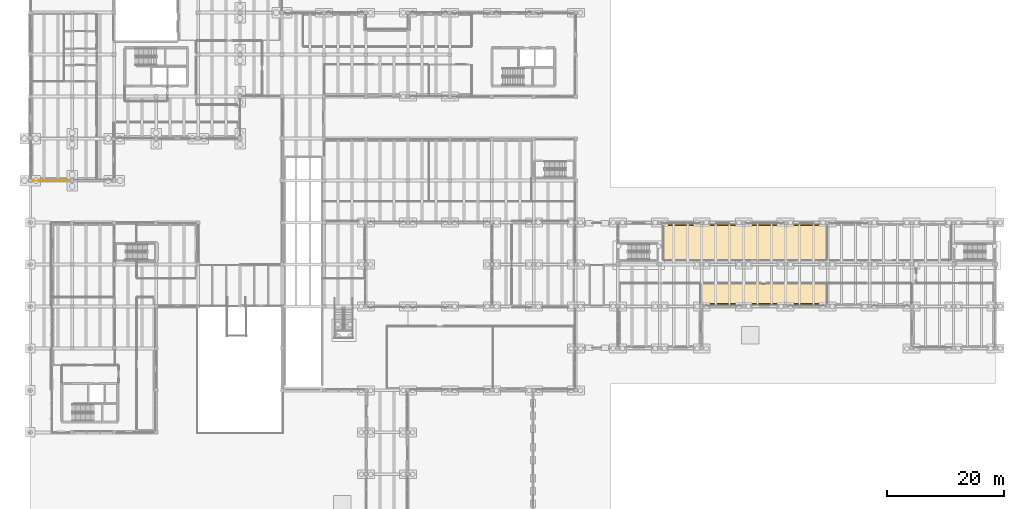
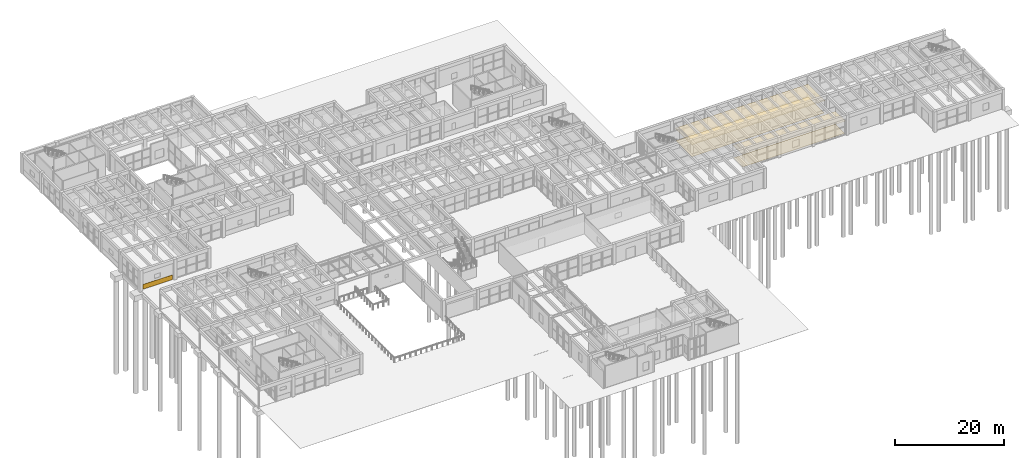
# One storey, part 142 of 155: 5 coverings.
"""IFC4 building model written with IfcOpenShell, lengths in metres."""

from ifc_helpers import new_model, si_unit, direction, frame, origin, origin_2d, place, context, subcontext, project, spatial, polyline, rectangle, outline, extrude, material, layer, layer_set, type_object, element, save


model = new_model("IFC4")

# Units and contexts
model_context = context("Model", 3, precision=1e-05, world=origin(), true_north=direction((0.0, 1.0)))
body_context = subcontext(model_context, "Body", "Model", "MODEL_VIEW")
ifc_project = project(units=[si_unit("LENGTHUNIT", "METRE"), si_unit("AREAUNIT", "SQUARE_METRE"), si_unit("VOLUMEUNIT", "CUBIC_METRE"), si_unit("PLANEANGLEUNIT", "RADIAN"), si_unit("MASSUNIT", "GRAM", prefix="KILO")], contexts=[model_context])

# Site, building, storey
site_placement = place(None, origin())
site = spatial("IfcSite", under=ifc_project, at=site_placement, CompositionType="ELEMENT")
building_placement = place(site_placement, origin())
building = spatial("IfcBuilding", under=site, at=building_placement, Name="Bramvelor Terrace Health Centre", CompositionType="ELEMENT")
storey_placement = place(building_placement, origin())
storey = spatial("IfcBuildingStorey", under=building, at=storey_placement, Name="L01", CompositionType="ELEMENT", Elevation=0.0)

# Coverings
ifc_material_1 = material(Name="Honed volcanic tuff rainscreen stone", Category="masonry")
ifc_layer_1 = layer(ifc_material_1, 0.0400390625)
ifc_layer_set_1 = layer_set([ifc_layer_1], Name="Honed volcanic tuff rainscreen stone")
covering_type_1 = type_object("IfcCoveringType", Name="COV-CLAD-TUF", PredefinedType="CLADDING", material=ifc_layer_set_1)
covering_1_placement = place(storey_placement, frame((3.60009765625, 71.985107421875, 0.02490234375), z_axis=(0.0, 0.0, 1.0), x_axis=(1.0, 0.0, 0.0)))
element("IfcCovering", 1, at=covering_1_placement, inside=storey, type_object=covering_type_1, Name="L01 Volcanic Tuff Rainscreen Spandrel 20", PredefinedType="CLADDING", context=body_context, shape_type="SweptSolid", body=[
    extrude(rectangle(XDim=6.260009765625, YDim=0.0400390625, at=origin_2d()), origin(), (0.0, 0.0, 1.0), 1.050048828125),
])
ifc_material_2 = material(Name="Hygienic mineral-fibre acoustic ceiling", Category="gypsum")
ifc_layer_2 = layer(ifc_material_2, 0.02001953125)
ifc_layer_set_2 = layer_set([ifc_layer_2], Name="Hygienic mineral-fibre acoustic ceiling")
covering_type_2 = type_object("IfcCoveringType", Name="COV-CLG-ACT", PredefinedType="CEILING", material=ifc_layer_set_2)
covering_2_placement = place(storey_placement, frame((0.0, 0.0, 2.75)))
element("IfcCovering", 2, at=covering_2_placement, inside=storey, type_object=covering_type_2, Name="L01 Ambulatory Endoscopy Procedure Room 1 Acoustic Ceiling", PredefinedType="CEILING", context=body_context, shape_type="SweptSolid", body=[
    extrude(outline(polyline([(114.989990234375, 54.389892578125), (114.989990234375, 54.39208984375), (114.990478515625, 54.393798828125), (114.990966796875, 54.395751953125), (114.991455078125, 54.397705078125), (114.992431640625, 54.3994140625), (114.993408203125, 54.401123046875), (114.994384765625, 54.402587890625), (114.995849609375, 54.404052734375), (114.997314453125, 54.405517578125), (114.998779296875, 54.406494140625), (115.00048828125, 54.40771484375), (115.002197265625, 54.408447265625), (115.004150390625, 54.4091796875), (115.006103515625, 54.40966796875), (115.008056640625, 54.409912109375), (115.010009765625, 54.409912109375), (136.699951171875, 54.409912109375), (136.701904296875, 54.409912109375), (136.703857421875, 54.40966796875), (136.705810546875, 54.4091796875), (136.707763671875, 54.408447265625), (136.70947265625, 54.40771484375), (136.711181640625, 54.406494140625), (136.712646484375, 54.405517578125), (136.714111328125, 54.404052734375), (136.715576171875, 54.402587890625), (136.716552734375, 54.401123046875), (136.717529296875, 54.3994140625), (136.718505859375, 54.397705078125), (136.718994140625, 54.395751953125), (136.719482421875, 54.393798828125), (136.719970703125, 54.39208984375), (136.719970703125, 54.389892578125), (136.719970703125, 50.800048828125), (136.719970703125, 50.798095703125), (136.719482421875, 50.796142578125), (136.718994140625, 50.794189453125), (136.718505859375, 50.792236328125), (136.717529296875, 50.79052734375), (136.716552734375, 50.788818359375), (136.715576171875, 50.787353515625), (136.714111328125, 50.785888671875), (136.712646484375, 50.784423828125), (136.711181640625, 50.783447265625), (136.70947265625, 50.782470703125), (136.707763671875, 50.781494140625), (136.705810546875, 50.781005859375), (136.703857421875, 50.780517578125), (136.701904296875, 50.780029296875), (136.699951171875, 50.780029296875), (115.010009765625, 50.780029296875), (115.008056640625, 50.780029296875), (115.006103515625, 50.780517578125), (115.004150390625, 50.781005859375), (115.002197265625, 50.781494140625), (115.00048828125, 50.782470703125), (114.998779296875, 50.783447265625), (114.997314453125, 50.784423828125), (114.995849609375, 50.785888671875), (114.994384765625, 50.787353515625), (114.993408203125, 50.788818359375), (114.992431640625, 50.79052734375), (114.991455078125, 50.792236328125), (114.990966796875, 50.794189453125), (114.990478515625, 50.796142578125), (114.989990234375, 50.798095703125), (114.989990234375, 50.800048828125), (114.989990234375, 54.389892578125)])), origin(), (0.0, 0.0, 1.0), 0.02001953125),
])
covering_3_placement = place(storey_placement, frame((0.0, 0.0, 2.75)))
element("IfcCovering", 3, at=covering_3_placement, inside=storey, type_object=covering_type_2, Name="L01 Minor Procedures Recovery Ward Acoustic Ceiling", PredefinedType="CEILING", context=body_context, shape_type="SweptSolid", body=[
    extrude(outline(polyline([(108.580078125, 64.39990234375), (108.580078125, 64.402099609375), (108.580322265625, 64.40380859375), (108.580810546875, 64.40576171875), (108.58154296875, 64.40771484375), (108.58251953125, 64.409423828125), (108.58349609375, 64.4111328125), (108.58447265625, 64.41259765625), (108.5859375, 64.4140625), (108.58740234375, 64.41552734375), (108.5888671875, 64.41650390625), (108.590576171875, 64.41748046875), (108.59228515625, 64.41845703125), (108.59423828125, 64.419189453125), (108.59619140625, 64.419677734375), (108.597900390625, 64.419921875), (108.60009765625, 64.419921875), (136.699951171875, 64.419921875), (136.701904296875, 64.419921875), (136.703857421875, 64.419677734375), (136.705810546875, 64.419189453125), (136.707763671875, 64.41845703125), (136.70947265625, 64.41748046875), (136.711181640625, 64.41650390625), (136.712646484375, 64.41552734375), (136.714111328125, 64.4140625), (136.715576171875, 64.41259765625), (136.716552734375, 64.4111328125), (136.717529296875, 64.409423828125), (136.718505859375, 64.40771484375), (136.718994140625, 64.40576171875), (136.719482421875, 64.40380859375), (136.719970703125, 64.402099609375), (136.719970703125, 64.39990234375), (136.719970703125, 58.300537109375), (136.719970703125, 58.298583984375), (136.719482421875, 58.296630859375), (136.718994140625, 58.294677734375), (136.718505859375, 58.292724609375), (136.717529296875, 58.291015625), (136.716552734375, 58.289306640625), (136.715576171875, 58.287841796875), (136.714111328125, 58.286376953125), (136.712646484375, 58.284912109375), (136.711181640625, 58.283935546875), (136.70947265625, 58.282958984375), (136.707763671875, 58.281982421875), (136.705810546875, 58.281494140625), (136.703857421875, 58.281005859375), (136.701904296875, 58.280517578125), (136.699951171875, 58.280517578125), (108.60009765625, 58.277587890625), (108.597900390625, 58.27783203125), (108.59619140625, 58.278076171875), (108.59423828125, 58.278564453125), (108.59228515625, 58.279296875), (108.590576171875, 58.280029296875), (108.5888671875, 58.281005859375), (108.58740234375, 58.2822265625), (108.5859375, 58.28369140625), (108.58447265625, 58.284912109375), (108.58349609375, 58.28662109375), (108.58251953125, 58.288330078125), (108.58154296875, 58.2900390625), (108.580810546875, 58.2919921875), (108.580322265625, 58.293701171875), (108.580078125, 58.2958984375), (108.580078125, 58.297607421875), (108.580078125, 64.39990234375)])), origin(), (0.0, 0.0, 1.0), 0.02001953125),
])
ifc_material_3 = material(Name="Seamless antimicrobial clinical vinyl", Category="polymer")
ifc_layer_3 = layer(ifc_material_3, 0.008056640625)
ifc_layer_set_3 = layer_set([ifc_layer_3], Name="Seamless antimicrobial clinical vinyl")
covering_type_3 = type_object("IfcCoveringType", Name="COV-FLR-VNL", PredefinedType="FLOORING", material=ifc_layer_set_3)
covering_4_placement = place(storey_placement, origin())
element("IfcCovering", 4, at=covering_4_placement, inside=storey, type_object=covering_type_3, Name="L01 Ambulatory Endoscopy Procedure Room 1 Clinical Vinyl Flooring", PredefinedType="FLOORING", context=body_context, shape_type="SweptSolid", body=[
    extrude(outline(polyline([(115.110107421875, 54.2900390625), (136.60009765625, 54.2900390625), (136.60009765625, 50.89990234375), (115.110107421875, 50.89990234375), (115.110107421875, 54.2900390625)])), origin(), (0.0, 0.0, 1.0), 0.008056640625),
])
covering_5_placement = place(storey_placement, origin())
element("IfcCovering", 5, at=covering_5_placement, inside=storey, type_object=covering_type_3, Name="L01 Minor Procedures Recovery Ward Clinical Vinyl Flooring", PredefinedType="FLOORING", context=body_context, shape_type="SweptSolid", body=[
    extrude(outline(polyline([(108.699951171875, 64.300048828125), (136.60009765625, 64.300048828125), (136.60009765625, 58.400390625), (108.699951171875, 58.397705078125), (108.699951171875, 64.300048828125)])), origin(), (0.0, 0.0, 1.0), 0.008056640625),
])

save(model, "model.ifc")
